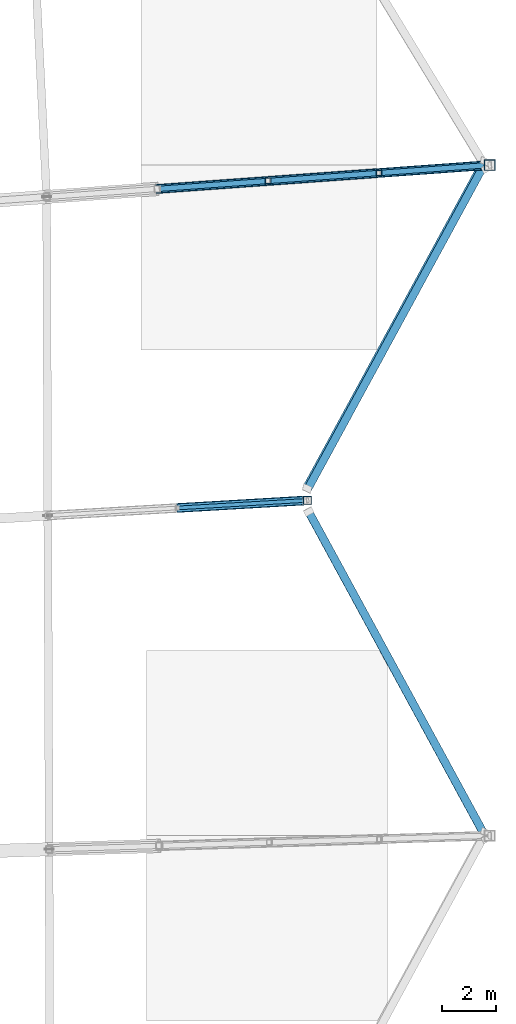
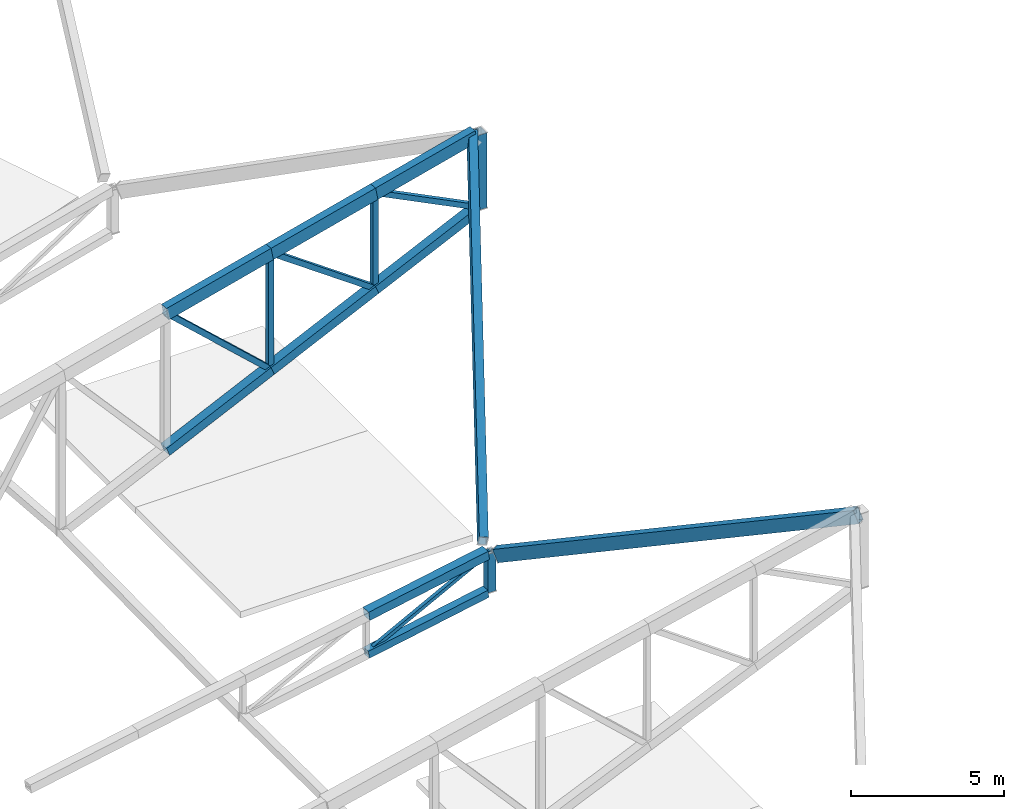
# One storey, part 103 of 188: 16 members, 2 beams.
"""IFC4 building model written with IfcOpenShell, lengths in metres."""

from ifc_helpers import new_model, si_unit, direction, frame, origin, origin_2d, place, context, subcontext, project, spatial, hollow_rectangle, extrude, material, material_profile, profile_set, type_object, element, save


model = new_model("IFC4")

# Units and contexts
model_context = context("Model", 3, precision=1e-05, world=origin(), true_north=direction((0.0, 1.0)))
body_context = subcontext(model_context, "Body", "Model", "MODEL_VIEW")
ifc_project = project(units=[si_unit("LENGTHUNIT", "METRE"), si_unit("AREAUNIT", "SQUARE_METRE"), si_unit("VOLUMEUNIT", "CUBIC_METRE"), si_unit("PLANEANGLEUNIT", "RADIAN"), si_unit("MASSUNIT", "GRAM", prefix="KILO")], contexts=[model_context])

# Site, building, storey
site_placement = place(None, origin())
site = spatial("IfcSite", under=ifc_project, at=site_placement, CompositionType="ELEMENT")
building_placement = place(site_placement, origin())
building = spatial("IfcBuilding", under=site, at=building_placement, Name="Meseta Stadium", CompositionType="ELEMENT")
storey_placement = place(building_placement, frame((0.0, 0.0, 30.0)))
storey = spatial("IfcBuildingStorey", under=building, at=storey_placement, Name="ROOF", CompositionType="ELEMENT", Elevation=30.0)

# Beams
ifc_material_1 = material(Name="Steel S355", Category="steel")
ifc_material_profile_1 = material_profile(ifc_material_1, hollow_rectangle(XDim=0.300048828125, YDim=0.5, WallThickness=0.01611328125, at=origin_2d()), Name="RHS 500x300x16")
ifc_profile_set_1 = profile_set([ifc_material_profile_1], Name="Steel S355")
beam_type = type_object("IfcBeamType", Name="RHS 500x300x16 rim ring beam", PredefinedType="BEAM", material=ifc_profile_set_1)
beam_1_placement = place(storey_placement, frame((101.275390625, 18.6494140625, 10.406494140625), z_axis=(-0.43116895441, 0.792582276806, -0.43116895441), x_axis=(-0.881143314248, -0.472690995022, 0.012234499668)))
element("IfcBeam", 1, at=beam_1_placement, inside=storey, type_object=beam_type, Name="RIM RING BEAM 07", PredefinedType="BEAM", context=body_context, shape_type="SweptSolid", body=[
    extrude(hollow_rectangle(XDim=0.300048828125, YDim=0.5, WallThickness=0.01611328125, at=origin_2d()), origin(), (0.0, 0.0, 1.0), 15.361328125),
])
beam_2_placement = place(storey_placement, frame((94.595947265625, 31.696044921875, 3.8017578125), z_axis=(0.43117438578, 0.792576367358, 0.43117438578), x_axis=(-0.897129387434, 0.427529866936, 0.11125230371)))
element("IfcBeam", 2, at=beam_2_placement, inside=storey, type_object=beam_type, Name="RIM RING BEAM 08", PredefinedType="BEAM", context=body_context, shape_type="SweptSolid", body=[
    extrude(hollow_rectangle(XDim=0.300048828125, YDim=0.5, WallThickness=0.01611328125, at=origin_2d()), origin(), (0.0, 0.0, 1.0), 15.361083984375),
])

# Members
ifc_material_2 = material(Name="Steel S355", Category="steel")
ifc_material_profile_2 = material_profile(ifc_material_2, hollow_rectangle(XDim=0.300048828125, YDim=0.5, WallThickness=0.01611328125, at=origin_2d()), Name="RHS 500x300x16")
ifc_profile_set_2 = profile_set([ifc_material_profile_2], Name="Steel S355")
member_type_1 = type_object("IfcMemberType", Name="RHS 500x300x16 top chord", PredefinedType="CHORD", material=ifc_profile_set_2)
for number, where, z_axis, x_axis, name in (
    (3, (89.012939453125, 42.858642578125, 8.143310546875), (0.979983832293, 0.070516190144, 0.186169695096), (-0.071770917658, 0.997421142436, 0.0), "ROOF TRUSS RT-08 top chord"),
    (4, (93.14208984375, 43.15576171875, 8.927734375), (0.979970961837, 0.070519433571, 0.186236203367), (-0.071775139582, 0.997420838632, 0.0), "ROOF TRUSS RT-08 top chord"),
):
    element("IfcMember", number, at=place(storey_placement, frame(where, z_axis=z_axis, x_axis=x_axis)), inside=storey, type_object=member_type_1, Name=name, PredefinedType="CHORD", context=body_context, shape_type="SweptSolid", body=[
        extrude(hollow_rectangle(XDim=0.300048828125, YDim=0.5, WallThickness=0.01611328125, at=origin_2d()), origin(), (0.0, 0.0, 1.0), 4.21337890625),
    ])
member_1_placement = place(storey_placement, frame((97.27099609375, 43.452880859375, 9.71240234375), z_axis=(0.979967572172, 0.070501701809, 0.186260751458), x_axis=(-0.071757431946, 0.997422112729, 0.0)))
element("IfcMember", 5, at=member_1_placement, inside=storey, type_object=member_type_1, Name="ROOF TRUSS RT-08 top chord", PredefinedType="CHORD", context=body_context, shape_type="SweptSolid", body=[
    extrude(hollow_rectangle(XDim=0.300048828125, YDim=0.5, WallThickness=0.01611328125, at=origin_2d()), origin(), (0.0, 0.0, 1.0), 4.013427734375),
])
ifc_material_3 = material(Name="Steel S355", Category="steel")
ifc_material_profile_3 = material_profile(ifc_material_3, hollow_rectangle(XDim=0.139892578125, YDim=0.139892578125, WallThickness=0.0048828125, at=origin_2d()), Name="SHS 140x140x5")
ifc_profile_set_3 = profile_set([ifc_material_profile_3], Name="Steel S355")
member_type_2 = type_object("IfcMemberType", Name="SHS 140x140x5 diagonal", PredefinedType="BRACE", material=ifc_profile_set_3)
member_2_placement = place(storey_placement, frame((89.7626953125, 30.9658203125, 1.45751953125), z_axis=(0.908141634093, 0.053349998086, 0.415249985106), x_axis=(-0.058645231896, 0.998278887273, 0.0)))
element("IfcMember", 6, at=member_2_placement, inside=storey, type_object=member_type_2, Name="ROOF TRUSS RT-07 diagonal", PredefinedType="BRACE", context=body_context, shape_type="SweptSolid", body=[
    extrude(hollow_rectangle(XDim=0.139892578125, YDim=0.139892578125, WallThickness=0.0048828125, at=origin_2d()), origin(), (0.0, 0.0, 1.0), 5.32666015625),
])
ifc_material_4 = material(Name="Steel S355", Category="steel")
ifc_material_profile_4 = material_profile(ifc_material_4, hollow_rectangle(XDim=0.199951171875, YDim=0.199951171875, WallThickness=0.008056640625, at=origin_2d()), Name="SHS 200x200x8")
ifc_profile_set_4 = profile_set([ifc_material_profile_4], Name="Steel S355")
member_type_3 = type_object("IfcMemberType", Name="SHS 200x200x8 diagonal", PredefinedType="BRACE", material=ifc_profile_set_4)
member_3_placement = place(storey_placement, frame((89.012939453125, 42.858642578125, 8.143310546875), z_axis=(0.727568764065, 0.052353289533, -0.684034229137), x_axis=(-0.071770917658, 0.997421142436, 0.0)))
element("IfcMember", 7, at=member_3_placement, inside=storey, type_object=member_type_3, Name="ROOF TRUSS RT-08 diagonal", PredefinedType="BRACE", context=body_context, shape_type="SweptSolid", body=[
    extrude(hollow_rectangle(XDim=0.199951171875, YDim=0.199951171875, WallThickness=0.008056640625, at=origin_2d()), origin(), (0.0, 0.0, 1.0), 5.67529296875),
])
member_4_placement = place(storey_placement, frame((93.14208984375, 43.15576171875, 8.927734375), z_axis=(0.803130928286, 0.05779389426, -0.592992898623), x_axis=(-0.071775139582, 0.997420838632, 0.0)))
element("IfcMember", 8, at=member_4_placement, inside=storey, type_object=member_type_3, Name="ROOF TRUSS RT-08 diagonal", PredefinedType="BRACE", context=body_context, shape_type="SweptSolid", body=[
    extrude(hollow_rectangle(XDim=0.199951171875, YDim=0.199951171875, WallThickness=0.008056640625, at=origin_2d()), origin(), (0.0, 0.0, 1.0), 5.14111328125),
])
member_5_placement = place(storey_placement, frame((97.27099609375, 43.452880859375, 9.71240234375), z_axis=(0.879409942069, 0.063282988381, -0.471840457328), x_axis=(-0.071775139582, 0.997420838632, 0.0)))
element("IfcMember", 9, at=member_5_placement, inside=storey, type_object=member_type_3, Name="ROOF TRUSS RT-08 diagonal", PredefinedType="BRACE", context=body_context, shape_type="SweptSolid", body=[
    extrude(hollow_rectangle(XDim=0.199951171875, YDim=0.199951171875, WallThickness=0.008056640625, at=origin_2d()), origin(), (0.0, 0.0, 1.0), 4.695068359375),
])
ifc_material_5 = material(Name="Steel S355", Category="steel")
ifc_material_profile_5 = material_profile(ifc_material_5, hollow_rectangle(XDim=0.199951171875, YDim=0.199951171875, WallThickness=0.008056640625, at=origin_2d()), Name="SHS 200x200x8")
ifc_profile_set_5 = profile_set([ifc_material_profile_5], Name="Steel S355")
member_type_4 = type_object("IfcMemberType", Name="SHS 200x200x8 post", PredefinedType="POST", material=ifc_profile_set_5)
member_6_placement = place(storey_placement, frame((93.14208984375, 43.15576171875, 4.26123046875), z_axis=(0.0, 0.0, 1.0), x_axis=(1.0, 0.0, 0.0)))
element("IfcMember", 10, at=member_6_placement, inside=storey, type_object=member_type_4, Name="ROOF TRUSS RT-08 post", PredefinedType="POST", context=body_context, shape_type="SweptSolid", body=[
    extrude(hollow_rectangle(XDim=0.199951171875, YDim=0.199951171875, WallThickness=0.008056640625, at=origin_2d()), origin(), (0.0, 0.0, 1.0), 4.66650390625),
])
member_7_placement = place(storey_placement, frame((97.27099609375, 43.452880859375, 5.879150390625), z_axis=(0.0, 0.0, 1.0), x_axis=(1.0, 0.0, 0.0)))
element("IfcMember", 11, at=member_7_placement, inside=storey, type_object=member_type_4, Name="ROOF TRUSS RT-08 post", PredefinedType="POST", context=body_context, shape_type="SweptSolid", body=[
    extrude(hollow_rectangle(XDim=0.199951171875, YDim=0.199951171875, WallThickness=0.008056640625, at=origin_2d()), origin(), (0.0, 0.0, 1.0), 3.833251953125),
])
ifc_material_6 = material(Name="Steel S355", Category="steel")
ifc_material_profile_6 = material_profile(ifc_material_6, hollow_rectangle(XDim=0.300048828125, YDim=0.300048828125, WallThickness=0.010009765625, at=origin_2d()), Name="SHS 300x300x10")
ifc_profile_set_6 = profile_set([ifc_material_profile_6], Name="Steel S355")
member_type_5 = type_object("IfcMemberType", Name="SHS 300x300x10 bottom chord", PredefinedType="CHORD", material=ifc_profile_set_6)
member_8_placement = place(storey_placement, frame((89.7626953125, 30.9658203125, 1.45751953125), z_axis=(0.989218469723, 0.058098429337, 0.134429876392), x_axis=(-0.058630613009, 0.998279745972, 0.0)))
element("IfcMember", 12, at=member_8_placement, inside=storey, type_object=member_type_5, Name="ROOF TRUSS RT-07 bottom chord", PredefinedType="CHORD", context=body_context, shape_type="SweptSolid", body=[
    extrude(hollow_rectangle(XDim=0.300048828125, YDim=0.300048828125, WallThickness=0.010009765625, at=origin_2d()), origin(), (0.0, 0.0, 1.0), 4.739990234375),
])
ifc_material_7 = material(Name="Steel S355", Category="steel")
ifc_material_profile_7 = material_profile(ifc_material_7, hollow_rectangle(XDim=0.300048828125, YDim=0.300048828125, WallThickness=0.010009765625, at=origin_2d()), Name="SHS 300x300x10")
ifc_profile_set_7 = profile_set([ifc_material_profile_7], Name="Steel S355")
member_type_6 = type_object("IfcMemberType", Name="SHS 300x300x10 rim post", PredefinedType="POST", material=ifc_profile_set_7)
member_9_placement = place(storey_placement, frame((94.60009765625, 31.25, 2.114990234375), z_axis=(0.0, 0.0, 1.0), x_axis=(1.0, 0.0, 0.0)))
element("IfcMember", 13, at=member_9_placement, inside=storey, type_object=member_type_6, Name="ROOF TRUSS RT-07 post", PredefinedType="POST", context=body_context, shape_type="SweptSolid", body=[
    extrude(hollow_rectangle(XDim=0.300048828125, YDim=0.300048828125, WallThickness=0.010009765625, at=origin_2d()), origin(), (0.0, 0.0, 1.0), 1.554443359375),
])
ifc_material_8 = material(Name="Steel S355", Category="steel")
ifc_material_profile_8 = material_profile(ifc_material_8, hollow_rectangle(XDim=0.35009765625, YDim=0.35009765625, WallThickness=0.010009765625, at=origin_2d()), Name="SHS 350x350x10")
ifc_profile_set_8 = profile_set([ifc_material_profile_8], Name="Steel S355")
member_type_7 = type_object("IfcMemberType", Name="SHS 350x350x10 bottom chord", PredefinedType="CHORD", material=ifc_profile_set_8)
member_10_placement = place(storey_placement, frame((89.012939453125, 42.858642578125, 2.643310546875), z_axis=(0.928994380672, 0.066847168526, 0.364006726229), x_axis=(-0.071770917658, 0.997421142436, 0.0)))
element("IfcMember", 14, at=member_10_placement, inside=storey, type_object=member_type_7, Name="ROOF TRUSS RT-08 bottom chord", PredefinedType="CHORD", context=body_context, shape_type="SweptSolid", body=[
    extrude(hollow_rectangle(XDim=0.35009765625, YDim=0.35009765625, WallThickness=0.010009765625, at=origin_2d()), origin(), (0.0, 0.0, 1.0), 4.44482421875),
])
member_11_placement = place(storey_placement, frame((93.14208984375, 43.15576171875, 4.26123046875), z_axis=(0.928986856662, 0.06685057974, 0.364025301508), x_axis=(-0.071775139582, 0.997420838632, 0.0)))
element("IfcMember", 15, at=member_11_placement, inside=storey, type_object=member_type_7, Name="ROOF TRUSS RT-08 bottom chord", PredefinedType="CHORD", context=body_context, shape_type="SweptSolid", body=[
    extrude(hollow_rectangle(XDim=0.35009765625, YDim=0.35009765625, WallThickness=0.010009765625, at=origin_2d()), origin(), (0.0, 0.0, 1.0), 4.444580078125),
])
member_12_placement = place(storey_placement, frame((97.27099609375, 43.452880859375, 5.879150390625), z_axis=(0.928983829085, 0.066836679425, 0.364035580105), x_axis=(-0.071760524824, 0.997421890213, 0.0)))
element("IfcMember", 16, at=member_12_placement, inside=storey, type_object=member_type_7, Name="ROOF TRUSS RT-08 bottom chord", PredefinedType="CHORD", context=body_context, shape_type="SweptSolid", body=[
    extrude(hollow_rectangle(XDim=0.35009765625, YDim=0.35009765625, WallThickness=0.010009765625, at=origin_2d()), origin(), (0.0, 0.0, 1.0), 4.24462890625),
])
ifc_material_9 = material(Name="Steel S355", Category="steel")
ifc_material_profile_9 = material_profile(ifc_material_9, hollow_rectangle(XDim=0.35009765625, YDim=0.35009765625, WallThickness=0.010009765625, at=origin_2d()), Name="SHS 350x350x10")
ifc_profile_set_9 = profile_set([ifc_material_profile_9], Name="Steel S355")
member_type_8 = type_object("IfcMemberType", Name="SHS 350x350x10 top chord", PredefinedType="CHORD", material=ifc_profile_set_9)
member_13_placement = place(storey_placement, frame((89.7626953125, 30.9658203125, 3.011962890625), z_axis=(0.989211619228, 0.058098026996, 0.134480450786), x_axis=(-0.058630613009, 0.998279745972, 0.0)))
element("IfcMember", 17, at=member_13_placement, inside=storey, type_object=member_type_8, Name="ROOF TRUSS RT-07 top chord", PredefinedType="CHORD", context=body_context, shape_type="SweptSolid", body=[
    extrude(hollow_rectangle(XDim=0.35009765625, YDim=0.35009765625, WallThickness=0.010009765625, at=origin_2d()), origin(), (0.0, 0.0, 1.0), 4.739990234375),
])
ifc_material_10 = material(Name="Steel S355", Category="steel")
ifc_material_profile_10 = material_profile(ifc_material_10, hollow_rectangle(XDim=0.39990234375, YDim=0.39990234375, WallThickness=0.01416015625, at=origin_2d()), Name="SHS 400x400x14.2")
ifc_profile_set_10 = profile_set([ifc_material_profile_10], Name="Steel S355")
member_type_9 = type_object("IfcMemberType", Name="SHS 400x400x14.2 rim post", PredefinedType="POST", material=ifc_profile_set_10)
member_14_placement = place(storey_placement, frame((101.39990234375, 43.75, 7.4970703125), z_axis=(0.0, 0.0, 1.0), x_axis=(1.0, 0.0, 0.0)))
element("IfcMember", 18, at=member_14_placement, inside=storey, type_object=member_type_9, Name="ROOF TRUSS RT-08 post", PredefinedType="POST", context=body_context, shape_type="SweptSolid", body=[
    extrude(hollow_rectangle(XDim=0.39990234375, YDim=0.39990234375, WallThickness=0.01416015625, at=origin_2d()), origin(), (0.0, 0.0, 1.0), 3.0),
])

save(model, "model.ifc")
